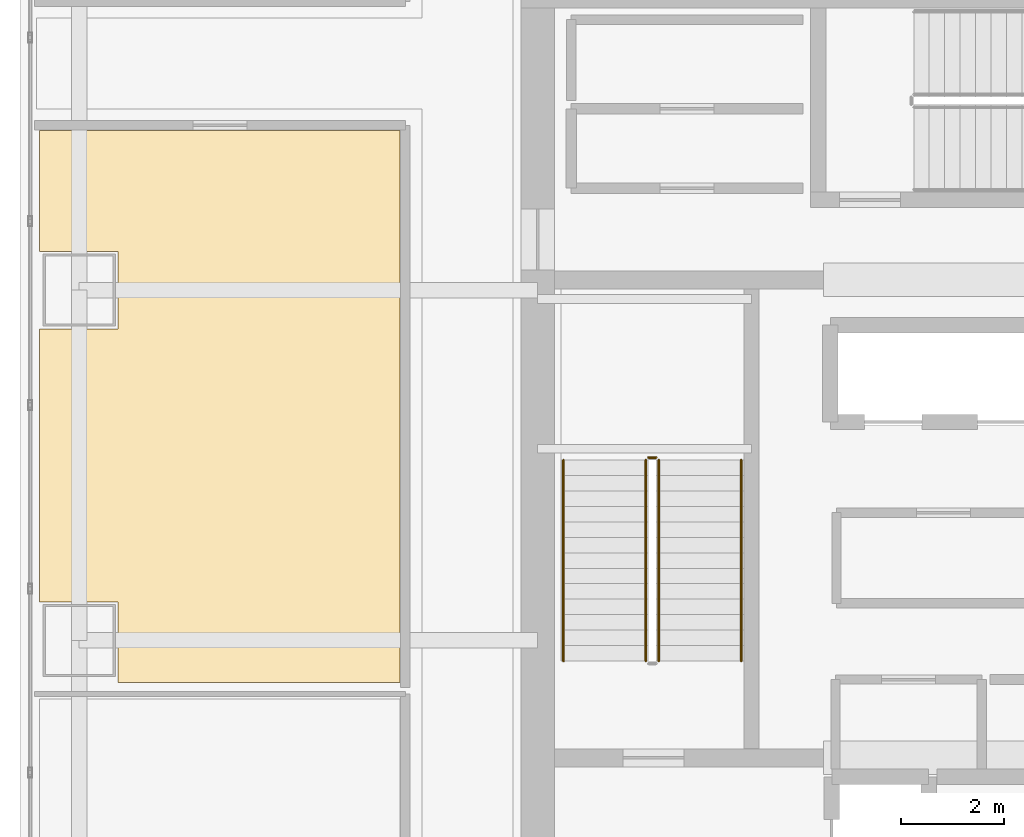
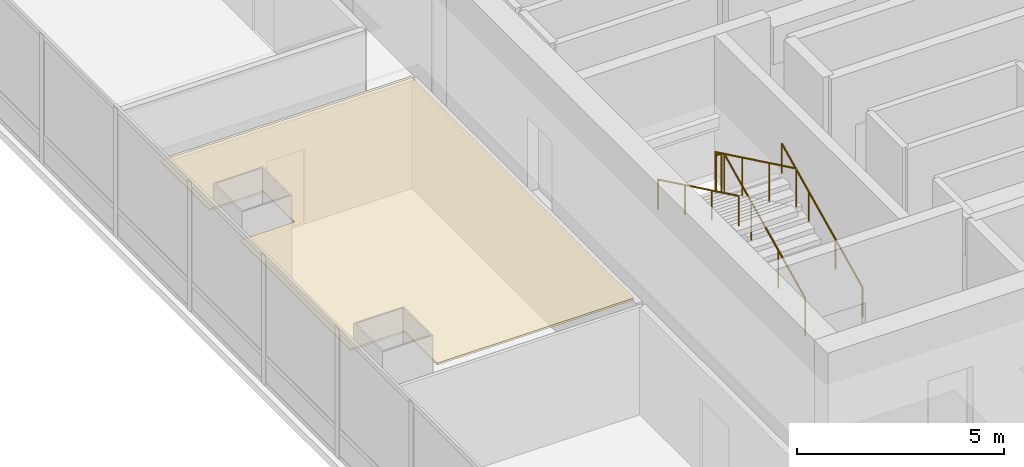
# One storey, part 33 of 36: 5 railings, 1 covering.
"""IFC4 building model written with IfcOpenShell, lengths in metres."""

from ifc_helpers import new_model, si_unit, direction, frame, origin, origin_2d, place, context, subcontext, project, spatial, polyline, circle, outline, extrude, material, layer, layer_set, type_object, element, save


model = new_model("IFC4")

# Units and contexts
model_context = context("Model", 3, precision=1e-05, world=origin(), true_north=direction((0.0, 1.0)))
body_context = subcontext(model_context, "Body", "Model", "MODEL_VIEW")
ifc_project = project(units=[si_unit("LENGTHUNIT", "METRE"), si_unit("AREAUNIT", "SQUARE_METRE"), si_unit("VOLUMEUNIT", "CUBIC_METRE"), si_unit("PLANEANGLEUNIT", "RADIAN"), si_unit("MASSUNIT", "GRAM", prefix="KILO")], contexts=[model_context])

# Site, building, storey
site_placement = place(None, origin())
site = spatial("IfcSite", under=ifc_project, at=site_placement, CompositionType="ELEMENT")
building_placement = place(site_placement, origin())
building = spatial("IfcBuilding", under=site, at=building_placement, Name="Punatoya Terracotta Tower", CompositionType="ELEMENT")
storey_placement = place(building_placement, frame((0.0, 0.0, 208.64990234375)))
storey = spatial("IfcBuildingStorey", under=building, at=storey_placement, Name="L49", CompositionType="ELEMENT", Elevation=208.64990234375)

# Covering
ifc_material_1 = material(Name="Acoustic Mineral Fibre Ceiling")
ifc_layer = layer(ifc_material_1, 0.06005859375)
ifc_layer_set = layer_set([ifc_layer], Name="Acoustic Mineral Fibre Ceiling")
covering_type = type_object("IfcCoveringType", Name="COV-CEIL-60", PredefinedType="CEILING", material=ifc_layer_set)
covering_placement = place(storey_placement, frame((0.0, 0.0, 3.22021484375)))
element("IfcCovering", 1, at=covering_placement, inside=storey, type_object=covering_type, Name="L49 Open-Plan Wellness Quiet Room Acoustic Ceiling", PredefinedType="CEILING", context=body_context, shape_type="SweptSolid", body=[
    extrude(outline(polyline([(-19.8701171875, -2.64990234375), (-18.35009765625, -2.64990234375), (-18.35009765625, -4.218017578125), (-12.8701171875, -4.218017578125), (-12.8701171875, 6.5), (-19.8701171875, 6.5), (-19.8701171875, 4.14990234375), (-18.35009765625, 4.14990234375), (-18.35009765625, 2.64990234375), (-19.8701171875, 2.64990234375), (-19.8701171875, -2.64990234375)])), origin(), (0.0, 0.0, 1.0), 0.059814453125),
])

# Railings
ifc_material_2 = material(Name="Steel S355", Category="steel")
railing_type_1 = type_object("IfcRailingType", Name="RLG-GRD-1150", PredefinedType="GUARDRAIL", material=ifc_material_2)
railing_1_placement = place(storey_placement, frame((-7.85009765625, -3.800048828125, 0.144775390625)))
element("IfcRailing", 2, at=railing_1_placement, inside=storey, type_object=railing_type_1, Name="L49 ST-1 stair guard 1", PredefinedType="GUARDRAIL", context=body_context, shape_type="SweptSolid", body=[
    extrude(circle(Radius=0.02392578125, at=origin_2d()), frame((0.0, 0.0, 1.1259765625), z_axis=(0.0, 0.900773802044, 0.434288564841), x_axis=(-1.0, 0.0, 0.0)), (0.0, 0.0, 1.0), 4.329833984375),
    extrude(circle(Radius=0.02099609375, at=origin_2d()), origin(), (0.0, 0.0, 1.0), 1.101806640625),
    extrude(circle(Radius=0.02099609375, at=origin_2d()), frame((0.0, 1.300048828125, 0.626708984375)), (0.0, 0.0, 1.0), 1.101806640625),
    extrude(circle(Radius=0.02099609375, at=origin_2d()), frame((0.0, 2.60009765625, 1.253662109375)), (0.0, 0.0, 1.0), 1.101806640625),
    extrude(circle(Radius=0.02099609375, at=origin_2d()), frame((0.0, 3.900146484375, 1.88037109375)), (0.0, 0.0, 1.0), 1.101806640625),
])
railing_2_placement = place(storey_placement, frame((-7.89990234375, 0.14990234375, 2.025146484375)))
element("IfcRailing", 3, at=railing_2_placement, inside=storey, type_object=railing_type_1, Name="L49 ST-1 stair guard 2", PredefinedType="GUARDRAIL", context=body_context, shape_type="SweptSolid", body=[
    extrude(circle(Radius=0.02392578125, at=origin_2d()), frame((0.0, 0.0, 1.1259765625), z_axis=(-1.0, 0.0, 0.0), x_axis=(0.0, -1.0, 0.0)), (0.0, 0.0, 1.0), 0.150146484375),
    extrude(circle(Radius=0.02099609375, at=origin_2d()), origin(), (0.0, 0.0, 1.0), 1.101806640625),
    extrude(circle(Radius=0.02099609375, at=origin_2d()), frame((-0.150146484375, 0.0, 0.0)), (0.0, 0.0, 1.0), 1.101806640625),
])
railing_3_placement = place(storey_placement, frame((-8.10009765625, 0.10009765625, 2.169677734375)))
element("IfcRailing", 4, at=railing_3_placement, inside=storey, type_object=railing_type_1, Name="L49 ST-1 stair guard 3", PredefinedType="GUARDRAIL", context=body_context, shape_type="SweptSolid", body=[
    extrude(circle(Radius=0.02392578125, at=origin_2d()), frame((0.0, 0.0, 1.1259765625), z_axis=(0.0, -0.900773802044, 0.434288564841), x_axis=(1.0, 0.0, 0.0)), (0.0, 0.0, 1.0), 4.329833984375),
    extrude(circle(Radius=0.02099609375, at=origin_2d()), origin(), (0.0, 0.0, 1.0), 1.101806640625),
    extrude(circle(Radius=0.02099609375, at=origin_2d()), frame((0.0, -1.300048828125, 0.626708984375)), (0.0, 0.0, 1.0), 1.101806640625),
    extrude(circle(Radius=0.02099609375, at=origin_2d()), frame((0.0, -2.60009765625, 1.253662109375)), (0.0, 0.0, 1.0), 1.101806640625),
    extrude(circle(Radius=0.02099609375, at=origin_2d()), frame((0.0, -3.900146484375, 1.88037109375)), (0.0, 0.0, 1.0), 1.101806640625),
])
railing_type_2 = type_object("IfcRailingType", Name="RLG-HND-900", PredefinedType="HANDRAIL", material=ifc_material_2)
railing_4_placement = place(storey_placement, frame((-6.25, -3.800048828125, 0.144775390625)))
element("IfcRailing", 5, at=railing_4_placement, inside=storey, type_object=railing_type_2, Name="L49 ST-1 stair handrail 1", PredefinedType="HANDRAIL", context=body_context, shape_type="SweptSolid", body=[
    extrude(circle(Radius=0.02392578125, at=origin_2d()), frame((0.0, 0.0, 0.8759765625), z_axis=(0.0, 0.900773802044, 0.434288564841), x_axis=(-1.0, 0.0, 0.0)), (0.0, 0.0, 1.0), 4.329833984375),
    extrude(circle(Radius=0.02099609375, at=origin_2d()), origin(), (0.0, 0.0, 1.0), 0.851806640625),
    extrude(circle(Radius=0.02099609375, at=origin_2d()), frame((0.0, 1.300048828125, 0.626708984375)), (0.0, 0.0, 1.0), 0.851806640625),
    extrude(circle(Radius=0.02099609375, at=origin_2d()), frame((0.0, 2.60009765625, 1.253662109375)), (0.0, 0.0, 1.0), 0.851806640625),
    extrude(circle(Radius=0.02099609375, at=origin_2d()), frame((0.0, 3.900146484375, 1.88037109375)), (0.0, 0.0, 1.0), 0.851806640625),
])
railing_5_placement = place(storey_placement, frame((-9.699951171875, 0.10009765625, 2.169677734375)))
element("IfcRailing", 6, at=railing_5_placement, inside=storey, type_object=railing_type_2, Name="L49 ST-1 stair handrail 2", PredefinedType="HANDRAIL", context=body_context, shape_type="SweptSolid", body=[
    extrude(circle(Radius=0.02392578125, at=origin_2d()), frame((0.0, 0.0, 0.8759765625), z_axis=(0.0, -0.900773802044, 0.434288564841), x_axis=(1.0, 0.0, 0.0)), (0.0, 0.0, 1.0), 4.329833984375),
    extrude(circle(Radius=0.02099609375, at=origin_2d()), origin(), (0.0, 0.0, 1.0), 0.851806640625),
    extrude(circle(Radius=0.02099609375, at=origin_2d()), frame((0.0, -1.300048828125, 0.626708984375)), (0.0, 0.0, 1.0), 0.851806640625),
    extrude(circle(Radius=0.02099609375, at=origin_2d()), frame((0.0, -2.60009765625, 1.253662109375)), (0.0, 0.0, 1.0), 0.851806640625),
    extrude(circle(Radius=0.02099609375, at=origin_2d()), frame((0.0, -3.900146484375, 1.88037109375)), (0.0, 0.0, 1.0), 0.851806640625),
])

save(model, "model.ifc")
